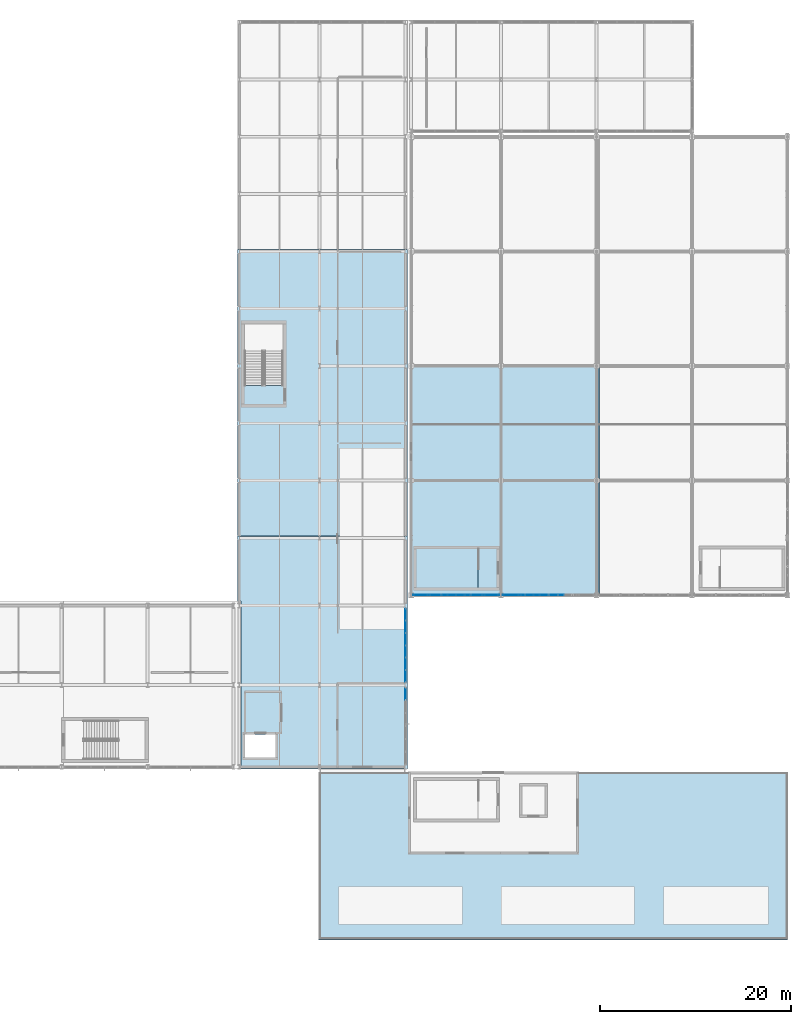
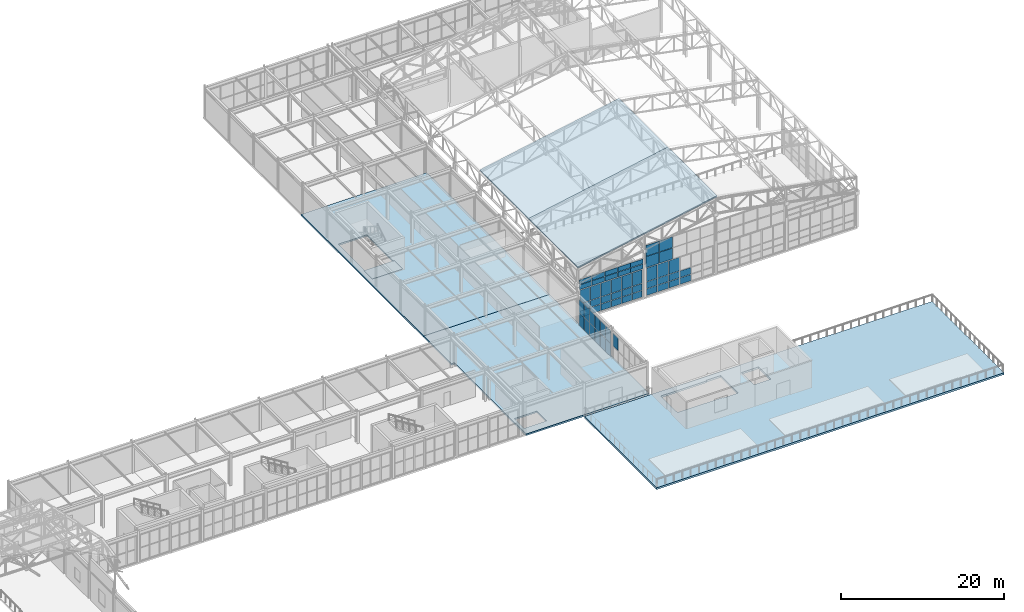
# One storey, part 90 of 112: 56 plates, 7 slabs, 7 elements without a shape of their own.
"""IFC4 building model written with IfcOpenShell, lengths in metres."""

import ifcopenshell
import ifcopenshell.guid

model = None  # the IFC model being written
_history = None  # IfcOwnerHistory: only IFC2X3 demands one
_inside = {}  # id of a spatial element -> (the spatial element, [elements in it])
_under = {}  # id of a project, library or spatial element -> (it, [spatial elements below it])
_declared = {}  # id of a project -> (the project, [libraries it declares])
_typed = {}  # id of a type object -> (the type object, [elements of that type])
_made_of = {}  # id of a material, layer set ... -> (it, [elements and type objects made of it])


def new_model(schema):
    """Start an empty IFC model of exactly this schema.

    Asked for "IFC4X3", IfcOpenShell would pick the latest addendum, in which some entities
    have other attributes; the version numbers below select the first issue.
    IFC2X3 requires an IfcOwnerHistory on every rooted entity: one is made here for all.
    """
    global model, _history
    if schema == "IFC4X3":
        model = ifcopenshell.file(schema_version=(4, 3, 0, 0))
    else:
        model = ifcopenshell.file(schema=schema)
    _inside.clear()
    _under.clear()
    _declared.clear()
    _typed.clear()
    _made_of.clear()
    _history = None
    if model.schema == "IFC2X3":
        org = make("IfcOrganization", Name="unknown")
        user = make(
            "IfcPersonAndOrganization",
            ThePerson=make("IfcPerson", FamilyName="unknown"),
            TheOrganization=org,
        )
        app = make(
            "IfcApplication",
            ApplicationDeveloper=org,
            Version="unknown",
            ApplicationFullName="unknown",
            ApplicationIdentifier="unknown",
        )
        _history = make(
            "IfcOwnerHistory",
            OwningUser=user,
            OwningApplication=app,
            ChangeAction="ADDED",
            CreationDate=0,
        )
    return model


def make(cls, **values):
    """One entity of the class cls with the attributes given. An attribute that is None is left unset."""
    return model.create_entity(
        cls, **{name: value for name, value in values.items() if value is not None}
    )


def rooted(cls, **values):
    """An entity with a GlobalId (a new one), such as an element, a storey or a relation."""
    return make(cls, GlobalId=ifcopenshell.guid.new(), OwnerHistory=_history, **values)


def si_unit(unit_type, name, prefix=None):
    """IfcSIUnit, for example si_unit("LENGTHUNIT", "METRE", prefix="MILLI")."""
    return make("IfcSIUnit", UnitType=unit_type, Prefix=prefix, Name=name)


def assignment(units):
    """IfcUnitAssignment: the units of a project."""
    return None if units is None else make("IfcUnitAssignment", Units=units)


def point(xyz):
    """IfcCartesianPoint."""
    return None if xyz is None else make("IfcCartesianPoint", Coordinates=xyz)


def direction(xyz):
    """IfcDirection."""
    return None if xyz is None else make("IfcDirection", DirectionRatios=xyz)


def frame(location, z_axis=None, x_axis=None):
    """IfcAxis2Placement3D, a coordinate frame: its origin and axes. An axis left out is left unset."""
    return make(
        "IfcAxis2Placement3D",
        Location=point(location),
        Axis=direction(z_axis),
        RefDirection=direction(x_axis),
    )


def frame_2d(location, x_axis=None):
    """IfcAxis2Placement2D, a coordinate frame in the plane: its origin and x axis."""
    return make(
        "IfcAxis2Placement2D", Location=point(location), RefDirection=direction(x_axis)
    )


def origin():
    """The frame at (0, 0, 0) with its axes left unset."""
    return frame((0.0, 0.0, 0.0))


def origin_2d():
    """The frame at (0, 0) in the plane with its x axis left unset."""
    return frame_2d((0.0, 0.0))


def place(relative_to, where):
    """IfcLocalPlacement: puts the frame where relative to a parent placement (None: the world)."""
    return make(
        "IfcLocalPlacement", PlacementRelTo=relative_to, RelativePlacement=where
    )


def context(
    kind, dimensions, precision=None, world=None, true_north=None, identifier=None
):
    """IfcGeometricRepresentationContext, for example the 3D "Model" context."""
    return make(
        "IfcGeometricRepresentationContext",
        ContextIdentifier=identifier,
        ContextType=kind,
        CoordinateSpaceDimension=dimensions,
        Precision=precision,
        WorldCoordinateSystem=world,
        TrueNorth=true_north,
    )


def subcontext(parent, identifier, kind, view, scale=None):
    """IfcGeometricRepresentationSubContext, for example "Body" below "Model"."""
    return make(
        "IfcGeometricRepresentationSubContext",
        ContextIdentifier=identifier,
        ContextType=kind,
        ParentContext=parent,
        TargetScale=scale,
        TargetView=view,
    )


def project(units=None, contexts=None):
    """IfcProject with its units and contexts."""
    return rooted(
        "IfcProject",
        Name="project",
        RepresentationContexts=contexts,
        UnitsInContext=assignment(units),
    )


def spatial(cls, under=None, at=None, **own):
    """A site, building, storey or space (cls), placed at a placement, below another one or the project."""
    s = rooted(cls, ObjectPlacement=at, **own)
    if under is not None:
        _under.setdefault(under.id(), (under, []))[1].append(s)
    return s


def polyline(points):
    """IfcPolyline through the points."""
    return make("IfcPolyline", Points=[point(p) for p in points])


def profile(cls, at=None, kind="AREA", **sizes):
    """A parametric profile (cls). Its sizes go by their IFC names, for example OverallWidth=200.0."""
    return make(cls, ProfileType=kind, Position=at, **sizes)


def rectangle(**sizes):
    """IfcRectangleProfileDef."""
    return profile("IfcRectangleProfileDef", **sizes)


def outline(outer, holes=None, kind="AREA"):
    """IfcArbitraryClosedProfileDef: a profile drawn as a closed curve; with holes, ...WithVoids."""
    if holes is None:
        return make("IfcArbitraryClosedProfileDef", ProfileType=kind, OuterCurve=outer)
    return make(
        "IfcArbitraryProfileDefWithVoids",
        ProfileType=kind,
        OuterCurve=outer,
        InnerCurves=holes,
    )


def extrude(swept, where, along, depth):
    """IfcExtrudedAreaSolid: the profile swept, set in the frame where, extruded along a direction by depth."""
    return make(
        "IfcExtrudedAreaSolid",
        SweptArea=swept,
        Position=where,
        ExtrudedDirection=direction(along),
        Depth=depth,
    )


def shape(context_of_items, identifier, shape_type, items):
    """IfcShapeRepresentation: the items that make up one representation, for example the "Body"."""
    return make(
        "IfcShapeRepresentation",
        ContextOfItems=context_of_items,
        RepresentationIdentifier=identifier,
        RepresentationType=shape_type,
        Items=items,
    )


def material(Name=None, Category=None):
    """IfcMaterial."""
    return make("IfcMaterial", Name=Name, Category=Category)


def layer(
    of_material, thickness, ventilated=None, Name=None, Category=None, Priority=None
):
    """IfcMaterialLayer: one layer of a wall or slab, of a material (None: an air gap)."""
    return make(
        "IfcMaterialLayer",
        Material=of_material,
        LayerThickness=thickness,
        IsVentilated=ventilated,
        Name=Name,
        Category=Category,
        Priority=Priority,
    )


def layer_set(layers, Name=None):
    """IfcMaterialLayerSet."""
    return make("IfcMaterialLayerSet", MaterialLayers=layers, LayerSetName=Name)


def made_of(thing, what):
    """Note that an element or type object is made of a material, layer set ...; save() writes the relation."""
    if what is not None:
        _made_of.setdefault(what.id(), (what, []))[1].append(thing)
    return thing


def type_object(cls, material=None, **own):
    """A type object (cls), such as IfcWallType, which elements share."""
    return made_of(rooted(cls, **own), material)


def element(
    cls,
    number,
    at=None,
    inside=None,
    cuts=None,
    type_object=None,
    material=None,
    context=None,
    identifier="Body",
    shape_type=None,
    held_by="IfcProductDefinitionShape",
    body=None,
    shapes=None,
    **own,
):
    """One element of the class cls, such as IfcWall. Its Tag is "e" and its number.

    at: its placement. inside: the storey or other place that contains it. cuts: it is an
    opening in that element (IfcRelVoidsElement). A single representation is given by context,
    identifier, shape_type and body (its items); several are given by shapes. held_by: the class
    of the entity that holds the representations. save() writes the other relations.
    """
    e = rooted(cls, Tag="e%d" % number, ObjectPlacement=at, **own)
    if body is not None:
        shapes = [shape(context, identifier, shape_type, body)]
    if shapes is not None:
        e.Representation = make(held_by, Representations=shapes)
    if inside is not None:
        _inside.setdefault(inside.id(), (inside, []))[1].append(e)
    if cuts is not None:
        rooted(
            "IfcRelVoidsElement", RelatingBuildingElement=cuts, RelatedOpeningElement=e
        )
    if type_object is not None:
        _typed.setdefault(type_object.id(), (type_object, []))[1].append(e)
    return made_of(e, material)


def aggregate(whole, parts):
    """IfcRelAggregates: a whole, such as a stair, and the parts it consists of."""
    return rooted("IfcRelAggregates", RelatingObject=whole, RelatedObjects=parts)


def save(model, path):
    """Write the relations noted so far, then the file.

    IfcRelAggregates (storeys below a building ...), IfcRelContainedInSpatialStructure (elements
    in a storey), IfcRelDefinesByType, IfcRelAssociatesMaterial and IfcRelDeclares: one each for
    every whole, place, type object, material and project.
    """
    for whole, parts in _under.values():
        aggregate(whole, parts)
    for where, things in _inside.values():
        rooted(
            "IfcRelContainedInSpatialStructure",
            RelatedElements=things,
            RelatingStructure=where,
        )
    for kind, things in _typed.values():
        rooted("IfcRelDefinesByType", RelatedObjects=things, RelatingType=kind)
    for what, things in _made_of.values():
        rooted("IfcRelAssociatesMaterial", RelatedObjects=things, RelatingMaterial=what)
    for by, libraries in _declared.values():
        rooted("IfcRelDeclares", RelatingContext=by, RelatedDefinitions=libraries)
    model.write(path)


model = new_model("IFC4")

# Units and contexts
model_context = context("Model", 3, precision=1e-05, world=origin(), true_north=direction((0.0, 1.0)))
body_context = subcontext(model_context, "Body", "Model", "MODEL_VIEW")
ifc_project = project(units=[si_unit("LENGTHUNIT", "METRE"), si_unit("AREAUNIT", "SQUARE_METRE"), si_unit("VOLUMEUNIT", "CUBIC_METRE"), si_unit("PLANEANGLEUNIT", "RADIAN"), si_unit("MASSUNIT", "GRAM", prefix="KILO")], contexts=[model_context])

# Site, building, storey
site_placement = place(None, origin())
site = spatial("IfcSite", under=ifc_project, at=site_placement, CompositionType="ELEMENT")
building_placement = place(site_placement, origin())
building = spatial("IfcBuilding", under=site, at=building_placement, Name="Kaldris Quays Convention Centre", CompositionType="ELEMENT")
storey_placement = place(building_placement, frame((0.0, 0.0, 16.800048828125)))
storey = spatial("IfcBuildingStorey", under=building, at=storey_placement, Name="L03", CompositionType="ELEMENT", Elevation=16.800048828125)

# Curtain wall, plate
ifc_material_1 = material(Name="Anodized aluminium AW-6060 and triple glazing", Category="aluminium")
curtain_wall_type_1 = type_object("IfcCurtainWallType", Name="UNITISED CURTAIN WALL CW04", PredefinedType="NOTDEFINED", material=ifc_material_1)
curtain_wall_1_placement = place(storey_placement, origin())
curtain_wall_1 = element("IfcCurtainWall", 1, at=curtain_wall_1_placement, inside=storey, type_object=curtain_wall_type_1, Name="L03 Unitised Curtain Wall CW04 146", PredefinedType="NOTDEFINED")
ifc_material_2 = material(Name="Triple low-E insulated glazing", Category="glass")
plate_type_1 = type_object("IfcPlateType", Name="CURTAIN GLAZING PANEL CWP2", PredefinedType="CURTAIN_PANEL", material=ifc_material_2)
plate_1_placement = place(storey_placement, frame((164.0, 45.659912109375, 2.011962890625), z_axis=(0.0, 0.0, 1.0), x_axis=(0.0, 1.0, 0.0)))
plate_1 = element("IfcPlate", 2, at=plate_1_placement, type_object=plate_type_1, Name="CW04 panel 6.2", PredefinedType="CURTAIN_PANEL", context=body_context, shape_type="SweptSolid", body=[
    extrude(rectangle(XDim=1.260009765625, YDim=0.033935546875, at=origin_2d()), origin(), (0.0, 0.0, 1.0), 1.89306640625),
])
aggregate(curtain_wall_1, [plate_1])

# Curtain wall, plates
curtain_wall_2_placement = place(storey_placement, origin())
curtain_wall_2 = element("IfcCurtainWall", 3, at=curtain_wall_2_placement, inside=storey, type_object=curtain_wall_type_1, Name="L03 Unitised Curtain Wall CW04 147", PredefinedType="NOTDEFINED")
plate_type_2 = type_object("IfcPlateType", Name="CURTAIN GLAZING PANEL CWP3", PredefinedType="CURTAIN_PANEL", material=ifc_material_2)
plate_2_placement = place(storey_placement, frame((164.0, 47.514892578125, 0.059814453125), z_axis=(0.0, 0.0, 1.0), x_axis=(0.0, 1.0, 0.0)))
plate_2 = element("IfcPlate", 4, at=plate_2_placement, type_object=plate_type_2, Name="CW04 panel 1.1", PredefinedType="CURTAIN_PANEL", context=body_context, shape_type="SweptSolid", body=[
    extrude(rectangle(XDim=1.2099609375, YDim=0.0390625, at=origin_2d()), origin(), (0.0, 0.0, 1.0), 1.89208984375),
])
plate_3_placement = place(storey_placement, frame((164.0, 47.514892578125, 2.011962890625), z_axis=(0.0, 0.0, 1.0), x_axis=(0.0, 1.0, 0.0)))
plate_3 = element("IfcPlate", 5, at=plate_3_placement, type_object=plate_type_2, Name="CW04 panel 1.2", PredefinedType="CURTAIN_PANEL", context=body_context, shape_type="SweptSolid", body=[
    extrude(rectangle(XDim=1.2099609375, YDim=0.0390625, at=origin_2d()), origin(), (0.0, 0.0, 1.0), 1.89306640625),
])
plate_4_placement = place(storey_placement, frame((164.0, 48.800048828125, 0.059814453125), z_axis=(0.0, 0.0, 1.0), x_axis=(0.0, 1.0, 0.0)))
plate_4 = element("IfcPlate", 6, at=plate_4_placement, type_object=plate_type_2, Name="CW04 panel 2.1", PredefinedType="CURTAIN_PANEL", context=body_context, shape_type="SweptSolid", body=[
    extrude(rectangle(XDim=1.239990234375, YDim=0.0390625, at=origin_2d()), origin(), (0.0, 0.0, 1.0), 1.89208984375),
])
plate_5_placement = place(storey_placement, frame((164.0, 48.800048828125, 2.011962890625), z_axis=(0.0, 0.0, 1.0), x_axis=(0.0, 1.0, 0.0)))
plate_5 = element("IfcPlate", 7, at=plate_5_placement, type_object=plate_type_2, Name="CW04 panel 2.2", PredefinedType="CURTAIN_PANEL", context=body_context, shape_type="SweptSolid", body=[
    extrude(rectangle(XDim=1.239990234375, YDim=0.0390625, at=origin_2d()), origin(), (0.0, 0.0, 1.0), 1.89306640625),
])
plate_6_placement = place(storey_placement, frame((164.0, 50.10009765625, 0.059814453125), z_axis=(0.0, 0.0, 1.0), x_axis=(0.0, 1.0, 0.0)))
plate_6 = element("IfcPlate", 8, at=plate_6_placement, type_object=plate_type_2, Name="CW04 panel 3.1", PredefinedType="CURTAIN_PANEL", context=body_context, shape_type="SweptSolid", body=[
    extrude(rectangle(XDim=1.239990234375, YDim=0.0390625, at=origin_2d()), origin(), (0.0, 0.0, 1.0), 1.89208984375),
])
plate_7_placement = place(storey_placement, frame((164.0, 50.10009765625, 2.011962890625), z_axis=(0.0, 0.0, 1.0), x_axis=(0.0, 1.0, 0.0)))
plate_7 = element("IfcPlate", 9, at=plate_7_placement, type_object=plate_type_2, Name="CW04 panel 3.2", PredefinedType="CURTAIN_PANEL", context=body_context, shape_type="SweptSolid", body=[
    extrude(rectangle(XDim=1.239990234375, YDim=0.0390625, at=origin_2d()), origin(), (0.0, 0.0, 1.0), 1.89306640625),
])
plate_8_placement = place(storey_placement, frame((164.0, 51.39990234375, 0.059814453125), z_axis=(0.0, 0.0, 1.0), x_axis=(0.0, 1.0, 0.0)))
plate_8 = element("IfcPlate", 10, at=plate_8_placement, type_object=plate_type_2, Name="CW04 panel 4.1", PredefinedType="CURTAIN_PANEL", context=body_context, shape_type="SweptSolid", body=[
    extrude(rectangle(XDim=1.239990234375, YDim=0.0390625, at=origin_2d()), origin(), (0.0, 0.0, 1.0), 1.89208984375),
])
plate_9_placement = place(storey_placement, frame((164.0, 51.39990234375, 2.011962890625), z_axis=(0.0, 0.0, 1.0), x_axis=(0.0, 1.0, 0.0)))
plate_9 = element("IfcPlate", 11, at=plate_9_placement, type_object=plate_type_2, Name="CW04 panel 4.2", PredefinedType="CURTAIN_PANEL", context=body_context, shape_type="SweptSolid", body=[
    extrude(rectangle(XDim=1.239990234375, YDim=0.0390625, at=origin_2d()), origin(), (0.0, 0.0, 1.0), 1.89306640625),
])
plate_10_placement = place(storey_placement, frame((164.0, 52.699951171875, 0.059814453125), z_axis=(0.0, 0.0, 1.0), x_axis=(0.0, 1.0, 0.0)))
plate_10 = element("IfcPlate", 12, at=plate_10_placement, type_object=plate_type_2, Name="CW04 panel 5.1", PredefinedType="CURTAIN_PANEL", context=body_context, shape_type="SweptSolid", body=[
    extrude(rectangle(XDim=1.239990234375, YDim=0.0390625, at=origin_2d()), origin(), (0.0, 0.0, 1.0), 1.89208984375),
])
plate_11_placement = place(storey_placement, frame((164.0, 52.699951171875, 2.011962890625), z_axis=(0.0, 0.0, 1.0), x_axis=(0.0, 1.0, 0.0)))
plate_11 = element("IfcPlate", 13, at=plate_11_placement, type_object=plate_type_2, Name="CW04 panel 5.2", PredefinedType="CURTAIN_PANEL", context=body_context, shape_type="SweptSolid", body=[
    extrude(rectangle(XDim=1.239990234375, YDim=0.0390625, at=origin_2d()), origin(), (0.0, 0.0, 1.0), 1.89306640625),
])
plate_12_placement = place(storey_placement, frame((164.0, 53.985107421875, 0.059814453125), z_axis=(0.0, 0.0, 1.0), x_axis=(0.0, 1.0, 0.0)))
plate_12 = element("IfcPlate", 14, at=plate_12_placement, type_object=plate_type_2, Name="CW04 panel 6.1", PredefinedType="CURTAIN_PANEL", context=body_context, shape_type="SweptSolid", body=[
    extrude(rectangle(XDim=1.2099609375, YDim=0.0390625, at=origin_2d()), origin(), (0.0, 0.0, 1.0), 1.89208984375),
])
plate_13_placement = place(storey_placement, frame((164.0, 53.985107421875, 2.011962890625), z_axis=(0.0, 0.0, 1.0), x_axis=(0.0, 1.0, 0.0)))
plate_13 = element("IfcPlate", 15, at=plate_13_placement, type_object=plate_type_2, Name="CW04 panel 6.2", PredefinedType="CURTAIN_PANEL", context=body_context, shape_type="SweptSolid", body=[
    extrude(rectangle(XDim=1.2099609375, YDim=0.0390625, at=origin_2d()), origin(), (0.0, 0.0, 1.0), 1.89306640625),
])
aggregate(curtain_wall_2, [plate_2, plate_3, plate_4, plate_5, plate_6, plate_7, plate_8, plate_9, plate_10, plate_11, plate_12, plate_13])

curtain_wall_type_2 = type_object("IfcCurtainWallType", Name="UNITISED CURTAIN WALL CW01", PredefinedType="NOTDEFINED", material=ifc_material_1)
curtain_wall_3_placement = place(storey_placement, origin())
curtain_wall_3 = element("IfcCurtainWall", 16, at=curtain_wall_3_placement, inside=storey, type_object=curtain_wall_type_2, Name="L03 Unitised Curtain Wall CW01 36", PredefinedType="NOTDEFINED")
plate_type_3 = type_object("IfcPlateType", Name="CURTAIN GLAZING PANEL CWP4", PredefinedType="CURTAIN_PANEL", material=ifc_material_2)
plate_14_placement = place(storey_placement, frame((165.606689453125, 56.0, 0.06005859375), z_axis=(0.0, 0.0, 1.0), x_axis=(1.0, 0.0, 0.0)))
plate_14 = element("IfcPlate", 17, at=plate_14_placement, type_object=plate_type_3, Name="CW01 panel 1.1", PredefinedType="CURTAIN_PANEL", context=body_context, shape_type="SweptSolid", body=[
    extrude(rectangle(XDim=1.393310546875, YDim=0.0439453125, at=origin_2d()), origin(), (0.0, 0.0, 1.0), 0.9599609375),
])
plate_15_placement = place(storey_placement, frame((165.606689453125, 56.0, 1.080078125), z_axis=(0.0, 0.0, 1.0), x_axis=(1.0, 0.0, 0.0)))
plate_15 = element("IfcPlate", 18, at=plate_15_placement, type_object=plate_type_3, Name="CW01 panel 1.2", PredefinedType="CURTAIN_PANEL", context=body_context, shape_type="SweptSolid", body=[
    extrude(rectangle(XDim=1.393310546875, YDim=0.0439453125, at=origin_2d()), origin(), (0.0, 0.0, 1.0), 0.989990234375),
])
plate_16_placement = place(storey_placement, frame((165.606689453125, 56.0, 2.1298828125), z_axis=(0.0, 0.0, 1.0), x_axis=(1.0, 0.0, 0.0)))
plate_16 = element("IfcPlate", 19, at=plate_16_placement, type_object=plate_type_3, Name="CW01 panel 1.3", PredefinedType="CURTAIN_PANEL", context=body_context, shape_type="SweptSolid", body=[
    extrude(rectangle(XDim=1.393310546875, YDim=0.0439453125, at=origin_2d()), origin(), (0.0, 0.0, 1.0), 2.010009765625),
])
plate_17_placement = place(storey_placement, frame((167.074951171875, 56.0, 0.06005859375), z_axis=(0.0, 0.0, 1.0), x_axis=(1.0, 0.0, 0.0)))
plate_17 = element("IfcPlate", 20, at=plate_17_placement, type_object=plate_type_3, Name="CW01 panel 2.1", PredefinedType="CURTAIN_PANEL", context=body_context, shape_type="SweptSolid", body=[
    extrude(rectangle(XDim=1.42333984375, YDim=0.0439453125, at=origin_2d()), origin(), (0.0, 0.0, 1.0), 0.9599609375),
])
plate_18_placement = place(storey_placement, frame((167.074951171875, 56.0, 1.080078125), z_axis=(0.0, 0.0, 1.0), x_axis=(1.0, 0.0, 0.0)))
plate_18 = element("IfcPlate", 21, at=plate_18_placement, type_object=plate_type_3, Name="CW01 panel 2.2", PredefinedType="CURTAIN_PANEL", context=body_context, shape_type="SweptSolid", body=[
    extrude(rectangle(XDim=1.42333984375, YDim=0.0439453125, at=origin_2d()), origin(), (0.0, 0.0, 1.0), 0.989990234375),
])
plate_19_placement = place(storey_placement, frame((167.074951171875, 56.0, 2.1298828125), z_axis=(0.0, 0.0, 1.0), x_axis=(1.0, 0.0, 0.0)))
plate_19 = element("IfcPlate", 22, at=plate_19_placement, type_object=plate_type_3, Name="CW01 panel 2.3", PredefinedType="CURTAIN_PANEL", context=body_context, shape_type="SweptSolid", body=[
    extrude(rectangle(XDim=1.42333984375, YDim=0.0439453125, at=origin_2d()), origin(), (0.0, 0.0, 1.0), 2.010009765625),
])
plate_20_placement = place(storey_placement, frame((168.558349609375, 56.0, 0.06005859375), z_axis=(0.0, 0.0, 1.0), x_axis=(1.0, 0.0, 0.0)))
plate_20 = element("IfcPlate", 23, at=plate_20_placement, type_object=plate_type_3, Name="CW01 panel 3.1", PredefinedType="CURTAIN_PANEL", context=body_context, shape_type="SweptSolid", body=[
    extrude(rectangle(XDim=1.42333984375, YDim=0.0439453125, at=origin_2d()), origin(), (0.0, 0.0, 1.0), 0.9599609375),
])
plate_21_placement = place(storey_placement, frame((168.558349609375, 56.0, 1.080078125), z_axis=(0.0, 0.0, 1.0), x_axis=(1.0, 0.0, 0.0)))
plate_21 = element("IfcPlate", 24, at=plate_21_placement, type_object=plate_type_3, Name="CW01 panel 3.2", PredefinedType="CURTAIN_PANEL", context=body_context, shape_type="SweptSolid", body=[
    extrude(rectangle(XDim=1.42333984375, YDim=0.0439453125, at=origin_2d()), origin(), (0.0, 0.0, 1.0), 0.989990234375),
])
plate_22_placement = place(storey_placement, frame((168.558349609375, 56.0, 2.1298828125), z_axis=(0.0, 0.0, 1.0), x_axis=(1.0, 0.0, 0.0)))
plate_22 = element("IfcPlate", 25, at=plate_22_placement, type_object=plate_type_3, Name="CW01 panel 3.3", PredefinedType="CURTAIN_PANEL", context=body_context, shape_type="SweptSolid", body=[
    extrude(rectangle(XDim=1.42333984375, YDim=0.0439453125, at=origin_2d()), origin(), (0.0, 0.0, 1.0), 2.010009765625),
])
plate_23_placement = place(storey_placement, frame((170.041748046875, 56.0, 0.06005859375), z_axis=(0.0, 0.0, 1.0), x_axis=(1.0, 0.0, 0.0)))
plate_23 = element("IfcPlate", 26, at=plate_23_placement, type_object=plate_type_3, Name="CW01 panel 4.1", PredefinedType="CURTAIN_PANEL", context=body_context, shape_type="SweptSolid", body=[
    extrude(rectangle(XDim=1.42333984375, YDim=0.0439453125, at=origin_2d()), origin(), (0.0, 0.0, 1.0), 0.9599609375),
])
plate_24_placement = place(storey_placement, frame((170.041748046875, 56.0, 1.080078125), z_axis=(0.0, 0.0, 1.0), x_axis=(1.0, 0.0, 0.0)))
plate_24 = element("IfcPlate", 27, at=plate_24_placement, type_object=plate_type_3, Name="CW01 panel 4.2", PredefinedType="CURTAIN_PANEL", context=body_context, shape_type="SweptSolid", body=[
    extrude(rectangle(XDim=1.42333984375, YDim=0.0439453125, at=origin_2d()), origin(), (0.0, 0.0, 1.0), 0.989990234375),
])
plate_25_placement = place(storey_placement, frame((170.041748046875, 56.0, 2.1298828125), z_axis=(0.0, 0.0, 1.0), x_axis=(1.0, 0.0, 0.0)))
plate_25 = element("IfcPlate", 28, at=plate_25_placement, type_object=plate_type_3, Name="CW01 panel 4.3", PredefinedType="CURTAIN_PANEL", context=body_context, shape_type="SweptSolid", body=[
    extrude(rectangle(XDim=1.42333984375, YDim=0.0439453125, at=origin_2d()), origin(), (0.0, 0.0, 1.0), 2.010009765625),
])
plate_26_placement = place(storey_placement, frame((171.52490234375, 56.0, 0.06005859375), z_axis=(0.0, 0.0, 1.0), x_axis=(1.0, 0.0, 0.0)))
plate_26 = element("IfcPlate", 29, at=plate_26_placement, type_object=plate_type_3, Name="CW01 panel 5.1", PredefinedType="CURTAIN_PANEL", context=body_context, shape_type="SweptSolid", body=[
    extrude(rectangle(XDim=1.42333984375, YDim=0.0439453125, at=origin_2d()), origin(), (0.0, 0.0, 1.0), 0.9599609375),
])
plate_27_placement = place(storey_placement, frame((171.52490234375, 56.0, 1.080078125), z_axis=(0.0, 0.0, 1.0), x_axis=(1.0, 0.0, 0.0)))
plate_27 = element("IfcPlate", 30, at=plate_27_placement, type_object=plate_type_3, Name="CW01 panel 5.2", PredefinedType="CURTAIN_PANEL", context=body_context, shape_type="SweptSolid", body=[
    extrude(rectangle(XDim=1.42333984375, YDim=0.0439453125, at=origin_2d()), origin(), (0.0, 0.0, 1.0), 0.989990234375),
])
plate_28_placement = place(storey_placement, frame((171.52490234375, 56.0, 2.1298828125), z_axis=(0.0, 0.0, 1.0), x_axis=(1.0, 0.0, 0.0)))
plate_28 = element("IfcPlate", 31, at=plate_28_placement, type_object=plate_type_3, Name="CW01 panel 5.3", PredefinedType="CURTAIN_PANEL", context=body_context, shape_type="SweptSolid", body=[
    extrude(rectangle(XDim=1.42333984375, YDim=0.0439453125, at=origin_2d()), origin(), (0.0, 0.0, 1.0), 2.010009765625),
])
plate_29_placement = place(storey_placement, frame((172.993408203125, 56.0, 0.06005859375), z_axis=(0.0, 0.0, 1.0), x_axis=(1.0, 0.0, 0.0)))
plate_29 = element("IfcPlate", 32, at=plate_29_placement, type_object=plate_type_3, Name="CW01 panel 6.1", PredefinedType="CURTAIN_PANEL", context=body_context, shape_type="SweptSolid", body=[
    extrude(rectangle(XDim=1.393310546875, YDim=0.0439453125, at=origin_2d()), origin(), (0.0, 0.0, 1.0), 0.9599609375),
])
plate_30_placement = place(storey_placement, frame((172.993408203125, 56.0, 1.080078125), z_axis=(0.0, 0.0, 1.0), x_axis=(1.0, 0.0, 0.0)))
plate_30 = element("IfcPlate", 33, at=plate_30_placement, type_object=plate_type_3, Name="CW01 panel 6.2", PredefinedType="CURTAIN_PANEL", context=body_context, shape_type="SweptSolid", body=[
    extrude(rectangle(XDim=1.393310546875, YDim=0.0439453125, at=origin_2d()), origin(), (0.0, 0.0, 1.0), 0.989990234375),
])
plate_31_placement = place(storey_placement, frame((172.993408203125, 56.0, 2.1298828125), z_axis=(0.0, 0.0, 1.0), x_axis=(1.0, 0.0, 0.0)))
plate_31 = element("IfcPlate", 34, at=plate_31_placement, type_object=plate_type_3, Name="CW01 panel 6.3", PredefinedType="CURTAIN_PANEL", context=body_context, shape_type="SweptSolid", body=[
    extrude(rectangle(XDim=1.393310546875, YDim=0.0439453125, at=origin_2d()), origin(), (0.0, 0.0, 1.0), 2.010009765625),
])
aggregate(curtain_wall_3, [plate_14, plate_15, plate_16, plate_17, plate_18, plate_19, plate_20, plate_21, plate_22, plate_23, plate_24, plate_25, plate_26, plate_27, plate_28, plate_29, plate_30, plate_31])

curtain_wall_4_placement = place(storey_placement, origin())
curtain_wall_4 = element("IfcCurtainWall", 35, at=curtain_wall_4_placement, inside=storey, type_object=curtain_wall_type_2, Name="L03 Unitised Curtain Wall CW01 37", PredefinedType="NOTDEFINED")
plate_type_4 = type_object("IfcPlateType", Name="CURTAIN GLAZING PANEL CWP5", PredefinedType="CURTAIN_PANEL", material=ifc_material_2)
plate_32_placement = place(storey_placement, frame((175.056640625, 56.0, 0.06005859375), z_axis=(0.0, 0.0, 1.0), x_axis=(1.0, 0.0, 0.0)))
plate_32 = element("IfcPlate", 36, at=plate_32_placement, type_object=plate_type_4, Name="CW01 panel 1.1", PredefinedType="CURTAIN_PANEL", context=body_context, shape_type="SweptSolid", body=[
    extrude(rectangle(XDim=1.493408203125, YDim=0.049072265625, at=origin_2d()), origin(), (0.0, 0.0, 1.0), 0.9599609375),
])
plate_33_placement = place(storey_placement, frame((175.056640625, 56.0, 1.080078125), z_axis=(0.0, 0.0, 1.0), x_axis=(1.0, 0.0, 0.0)))
plate_33 = element("IfcPlate", 37, at=plate_33_placement, type_object=plate_type_4, Name="CW01 panel 1.2", PredefinedType="CURTAIN_PANEL", context=body_context, shape_type="SweptSolid", body=[
    extrude(rectangle(XDim=1.493408203125, YDim=0.049072265625, at=origin_2d()), origin(), (0.0, 0.0, 1.0), 0.989990234375),
])
plate_34_placement = place(storey_placement, frame((175.056640625, 56.0, 2.1298828125), z_axis=(0.0, 0.0, 1.0), x_axis=(1.0, 0.0, 0.0)))
plate_34 = element("IfcPlate", 38, at=plate_34_placement, type_object=plate_type_4, Name="CW01 panel 1.3", PredefinedType="CURTAIN_PANEL", context=body_context, shape_type="SweptSolid", body=[
    extrude(rectangle(XDim=1.493408203125, YDim=0.049072265625, at=origin_2d()), origin(), (0.0, 0.0, 1.0), 2.010009765625),
])
plate_35_placement = place(storey_placement, frame((176.625, 56.0, 0.06005859375), z_axis=(0.0, 0.0, 1.0), x_axis=(1.0, 0.0, 0.0)))
plate_35 = element("IfcPlate", 39, at=plate_35_placement, type_object=plate_type_4, Name="CW01 panel 2.1", PredefinedType="CURTAIN_PANEL", context=body_context, shape_type="SweptSolid", body=[
    extrude(rectangle(XDim=1.5234375, YDim=0.049072265625, at=origin_2d()), origin(), (0.0, 0.0, 1.0), 0.9599609375),
])
plate_36_placement = place(storey_placement, frame((176.625, 56.0, 1.080078125), z_axis=(0.0, 0.0, 1.0), x_axis=(1.0, 0.0, 0.0)))
plate_36 = element("IfcPlate", 40, at=plate_36_placement, type_object=plate_type_4, Name="CW01 panel 2.2", PredefinedType="CURTAIN_PANEL", context=body_context, shape_type="SweptSolid", body=[
    extrude(rectangle(XDim=1.5234375, YDim=0.049072265625, at=origin_2d()), origin(), (0.0, 0.0, 1.0), 0.989990234375),
])
plate_37_placement = place(storey_placement, frame((176.625, 56.0, 2.1298828125), z_axis=(0.0, 0.0, 1.0), x_axis=(1.0, 0.0, 0.0)))
plate_37 = element("IfcPlate", 41, at=plate_37_placement, type_object=plate_type_4, Name="CW01 panel 2.3", PredefinedType="CURTAIN_PANEL", context=body_context, shape_type="SweptSolid", body=[
    extrude(rectangle(XDim=1.5234375, YDim=0.049072265625, at=origin_2d()), origin(), (0.0, 0.0, 1.0), 2.010009765625),
])
plate_38_placement = place(storey_placement, frame((178.208251953125, 56.0, 0.06005859375), z_axis=(0.0, 0.0, 1.0), x_axis=(1.0, 0.0, 0.0)))
plate_38 = element("IfcPlate", 42, at=plate_38_placement, type_object=plate_type_4, Name="CW01 panel 3.1", PredefinedType="CURTAIN_PANEL", context=body_context, shape_type="SweptSolid", body=[
    extrude(rectangle(XDim=1.5234375, YDim=0.049072265625, at=origin_2d()), origin(), (0.0, 0.0, 1.0), 0.9599609375),
])
plate_39_placement = place(storey_placement, frame((178.208251953125, 56.0, 1.080078125), z_axis=(0.0, 0.0, 1.0), x_axis=(1.0, 0.0, 0.0)))
plate_39 = element("IfcPlate", 43, at=plate_39_placement, type_object=plate_type_4, Name="CW01 panel 3.2", PredefinedType="CURTAIN_PANEL", context=body_context, shape_type="SweptSolid", body=[
    extrude(rectangle(XDim=1.5234375, YDim=0.049072265625, at=origin_2d()), origin(), (0.0, 0.0, 1.0), 0.989990234375),
])
plate_40_placement = place(storey_placement, frame((178.208251953125, 56.0, 2.1298828125), z_axis=(0.0, 0.0, 1.0), x_axis=(1.0, 0.0, 0.0)))
plate_40 = element("IfcPlate", 44, at=plate_40_placement, type_object=plate_type_4, Name="CW01 panel 3.3", PredefinedType="CURTAIN_PANEL", context=body_context, shape_type="SweptSolid", body=[
    extrude(rectangle(XDim=1.5234375, YDim=0.049072265625, at=origin_2d()), origin(), (0.0, 0.0, 1.0), 2.010009765625),
])
plate_41_placement = place(storey_placement, frame((179.791748046875, 56.0, 0.06005859375), z_axis=(0.0, 0.0, 1.0), x_axis=(1.0, 0.0, 0.0)))
plate_41 = element("IfcPlate", 45, at=plate_41_placement, type_object=plate_type_4, Name="CW01 panel 4.1", PredefinedType="CURTAIN_PANEL", context=body_context, shape_type="SweptSolid", body=[
    extrude(rectangle(XDim=1.5234375, YDim=0.049072265625, at=origin_2d()), origin(), (0.0, 0.0, 1.0), 0.9599609375),
])
plate_42_placement = place(storey_placement, frame((179.791748046875, 56.0, 1.080078125), z_axis=(0.0, 0.0, 1.0), x_axis=(1.0, 0.0, 0.0)))
plate_42 = element("IfcPlate", 46, at=plate_42_placement, type_object=plate_type_4, Name="CW01 panel 4.2", PredefinedType="CURTAIN_PANEL", context=body_context, shape_type="SweptSolid", body=[
    extrude(rectangle(XDim=1.5234375, YDim=0.049072265625, at=origin_2d()), origin(), (0.0, 0.0, 1.0), 0.989990234375),
])
aggregate(curtain_wall_4, [plate_32, plate_33, plate_34, plate_35, plate_36, plate_37, plate_38, plate_39, plate_40, plate_41, plate_42])

curtain_wall_type_3 = type_object("IfcCurtainWallType", Name="UNITISED CURTAIN WALL CW05", PredefinedType="NOTDEFINED", material=ifc_material_1)
curtain_wall_5_placement = place(storey_placement, origin())
curtain_wall_5 = element("IfcCurtainWall", 47, at=curtain_wall_5_placement, inside=storey, type_object=curtain_wall_type_3, Name="L03 Unitised Curtain Wall CW05 255", PredefinedType="NOTDEFINED")
plate_type_5 = type_object("IfcPlateType", Name="CURTAIN GLAZING PANEL CWP7", PredefinedType="CURTAIN_PANEL", material=ifc_material_2)
plate_43_placement = place(storey_placement, frame((165.6669921875, 56.0, 4.2548828125), z_axis=(0.0, 0.0, 1.0), x_axis=(1.0, 0.0, 0.0)))
plate_43 = element("IfcPlate", 48, at=plate_43_placement, type_object=plate_type_5, Name="CW05 panel 1.1", PredefinedType="CURTAIN_PANEL", context=body_context, shape_type="SweptSolid", body=[
    extrude(rectangle(XDim=1.73388671875, YDim=0.05908203125, at=origin_2d()), origin(), (0.0, 0.0, 1.0), 0.69091796875),
])
plate_44_placement = place(storey_placement, frame((165.6669921875, 56.0, 5.006103515625), z_axis=(0.0, 0.0, 1.0), x_axis=(1.0, 0.0, 0.0)))
plate_44 = element("IfcPlate", 49, at=plate_44_placement, type_object=plate_type_5, Name="CW05 panel 1.2", PredefinedType="CURTAIN_PANEL", context=body_context, shape_type="SweptSolid", body=[
    extrude(rectangle(XDim=1.73388671875, YDim=0.05908203125, at=origin_2d()), origin(), (0.0, 0.0, 1.0), 0.69091796875),
])
plate_45_placement = place(storey_placement, frame((167.47607421875, 56.0, 4.2548828125), z_axis=(0.0, 0.0, 1.0), x_axis=(1.0, 0.0, 0.0)))
plate_45 = element("IfcPlate", 50, at=plate_45_placement, type_object=plate_type_5, Name="CW05 panel 2.1", PredefinedType="CURTAIN_PANEL", context=body_context, shape_type="SweptSolid", body=[
    extrude(rectangle(XDim=1.763916015625, YDim=0.05908203125, at=origin_2d()), origin(), (0.0, 0.0, 1.0), 0.69091796875),
])
plate_46_placement = place(storey_placement, frame((167.47607421875, 56.0, 5.006103515625), z_axis=(0.0, 0.0, 1.0), x_axis=(1.0, 0.0, 0.0)))
plate_46 = element("IfcPlate", 51, at=plate_46_placement, type_object=plate_type_5, Name="CW05 panel 2.2", PredefinedType="CURTAIN_PANEL", context=body_context, shape_type="SweptSolid", body=[
    extrude(rectangle(XDim=1.763916015625, YDim=0.05908203125, at=origin_2d()), origin(), (0.0, 0.0, 1.0), 0.69091796875),
])
plate_47_placement = place(storey_placement, frame((169.300048828125, 56.0, 4.2548828125), z_axis=(0.0, 0.0, 1.0), x_axis=(1.0, 0.0, 0.0)))
plate_47 = element("IfcPlate", 52, at=plate_47_placement, type_object=plate_type_5, Name="CW05 panel 3.1", PredefinedType="CURTAIN_PANEL", context=body_context, shape_type="SweptSolid", body=[
    extrude(rectangle(XDim=1.763916015625, YDim=0.05908203125, at=origin_2d()), origin(), (0.0, 0.0, 1.0), 0.69091796875),
])
plate_48_placement = place(storey_placement, frame((169.300048828125, 56.0, 5.006103515625), z_axis=(0.0, 0.0, 1.0), x_axis=(1.0, 0.0, 0.0)))
plate_48 = element("IfcPlate", 53, at=plate_48_placement, type_object=plate_type_5, Name="CW05 panel 3.2", PredefinedType="CURTAIN_PANEL", context=body_context, shape_type="SweptSolid", body=[
    extrude(rectangle(XDim=1.763916015625, YDim=0.05908203125, at=origin_2d()), origin(), (0.0, 0.0, 1.0), 0.69091796875),
])
plate_49_placement = place(storey_placement, frame((171.1240234375, 56.0, 4.2548828125), z_axis=(0.0, 0.0, 1.0), x_axis=(1.0, 0.0, 0.0)))
plate_49 = element("IfcPlate", 54, at=plate_49_placement, type_object=plate_type_5, Name="CW05 panel 4.1", PredefinedType="CURTAIN_PANEL", context=body_context, shape_type="SweptSolid", body=[
    extrude(rectangle(XDim=1.763916015625, YDim=0.05908203125, at=origin_2d()), origin(), (0.0, 0.0, 1.0), 0.69091796875),
])
plate_50_placement = place(storey_placement, frame((171.1240234375, 56.0, 5.006103515625), z_axis=(0.0, 0.0, 1.0), x_axis=(1.0, 0.0, 0.0)))
plate_50 = element("IfcPlate", 55, at=plate_50_placement, type_object=plate_type_5, Name="CW05 panel 4.2", PredefinedType="CURTAIN_PANEL", context=body_context, shape_type="SweptSolid", body=[
    extrude(rectangle(XDim=1.763916015625, YDim=0.05908203125, at=origin_2d()), origin(), (0.0, 0.0, 1.0), 0.69091796875),
])
plate_51_placement = place(storey_placement, frame((172.93310546875, 56.0, 4.2548828125), z_axis=(0.0, 0.0, 1.0), x_axis=(1.0, 0.0, 0.0)))
plate_51 = element("IfcPlate", 56, at=plate_51_placement, type_object=plate_type_5, Name="CW05 panel 5.1", PredefinedType="CURTAIN_PANEL", context=body_context, shape_type="SweptSolid", body=[
    extrude(rectangle(XDim=1.73388671875, YDim=0.05908203125, at=origin_2d()), origin(), (0.0, 0.0, 1.0), 0.69091796875),
])
plate_52_placement = place(storey_placement, frame((172.93310546875, 56.0, 5.006103515625), z_axis=(0.0, 0.0, 1.0), x_axis=(1.0, 0.0, 0.0)))
plate_52 = element("IfcPlate", 57, at=plate_52_placement, type_object=plate_type_5, Name="CW05 panel 5.2", PredefinedType="CURTAIN_PANEL", context=body_context, shape_type="SweptSolid", body=[
    extrude(rectangle(XDim=1.73388671875, YDim=0.05908203125, at=origin_2d()), origin(), (0.0, 0.0, 1.0), 0.69091796875),
])
aggregate(curtain_wall_5, [plate_43, plate_44, plate_45, plate_46, plate_47, plate_48, plate_49, plate_50, plate_51, plate_52])

curtain_wall_6_placement = place(storey_placement, origin())
curtain_wall_6 = element("IfcCurtainWall", 58, at=curtain_wall_6_placement, inside=storey, type_object=curtain_wall_type_3, Name="L03 Unitised Curtain Wall CW05 256", PredefinedType="NOTDEFINED")
plate_type_6 = type_object("IfcPlateType", Name="CURTAIN GLAZING PANEL CWP8", PredefinedType="CURTAIN_PANEL", material=ifc_material_2)
plate_53_placement = place(storey_placement, frame((175.126953125, 56.0, 4.2548828125), z_axis=(0.0, 0.0, 1.0), x_axis=(1.0, 0.0, 0.0)))
plate_53 = element("IfcPlate", 59, at=plate_53_placement, type_object=plate_type_6, Name="CW05 panel 1.1", PredefinedType="CURTAIN_PANEL", context=body_context, shape_type="SweptSolid", body=[
    extrude(rectangle(XDim=1.85400390625, YDim=0.06396484375, at=origin_2d()), origin(), (0.0, 0.0, 1.0), 1.626953125),
])
plate_54_placement = place(storey_placement, frame((175.126953125, 56.0, 5.94189453125), z_axis=(0.0, 0.0, 1.0), x_axis=(1.0, 0.0, 0.0)))
plate_54 = element("IfcPlate", 60, at=plate_54_placement, type_object=plate_type_6, Name="CW05 panel 1.2", PredefinedType="CURTAIN_PANEL", context=body_context, shape_type="SweptSolid", body=[
    extrude(rectangle(XDim=1.85400390625, YDim=0.06396484375, at=origin_2d()), origin(), (0.0, 0.0, 1.0), 1.6259765625),
])
plate_55_placement = place(storey_placement, frame((177.055908203125, 56.0, 4.2548828125), z_axis=(0.0, 0.0, 1.0), x_axis=(1.0, 0.0, 0.0)))
plate_55 = element("IfcPlate", 61, at=plate_55_placement, type_object=plate_type_6, Name="CW05 panel 2.1", PredefinedType="CURTAIN_PANEL", context=body_context, shape_type="SweptSolid", body=[
    extrude(rectangle(XDim=1.884033203125, YDim=0.06396484375, at=origin_2d()), origin(), (0.0, 0.0, 1.0), 1.626953125),
])
plate_56_placement = place(storey_placement, frame((177.055908203125, 56.0, 5.94189453125), z_axis=(0.0, 0.0, 1.0), x_axis=(1.0, 0.0, 0.0)))
plate_56 = element("IfcPlate", 62, at=plate_56_placement, type_object=plate_type_6, Name="CW05 panel 2.2", PredefinedType="CURTAIN_PANEL", context=body_context, shape_type="SweptSolid", body=[
    extrude(rectangle(XDim=1.884033203125, YDim=0.06396484375, at=origin_2d()), origin(), (0.0, 0.0, 1.0), 1.6259765625),
])
aggregate(curtain_wall_6, [plate_53, plate_54, plate_55, plate_56])

# Slabs
ifc_material_3 = material(Name="Concrete C35/45", Category="concrete")
ifc_layer_1 = layer(ifc_material_3, 0.27490234375)
ifc_layer_set_1 = layer_set([ifc_layer_1], Name="Concrete C35/45")
slab_type_1 = type_object("IfcSlabType", Name="STRUCTURAL SLAB FS05", PredefinedType="FLOOR", material=ifc_layer_set_1)
slab_1_placement = place(storey_placement, frame((0.0, 0.0, -0.275146484375)))
element("IfcSlab", 63, at=slab_1_placement, inside=storey, type_object=slab_type_1, Name="L03 ST08 Core Floor Landing Slab", PredefinedType="FLOOR", context=body_context, shape_type="SweptSolid", body=[
    extrude(outline(polyline([(173.669921875, 60.969970703125), (171.60009765625, 60.969970703125), (171.60009765625, 56.679931640625), (173.669921875, 56.679931640625), (173.669921875, 60.969970703125)])), origin(), (0.0, 0.0, 1.0), 0.275146484375),
])
slab_2_placement = place(storey_placement, frame((0.0, 0.0, -0.275146484375)))
element("IfcSlab", 64, at=slab_2_placement, inside=storey, type_object=slab_type_1, Name="L03 ST14 Core Floor Landing Slab", PredefinedType="FLOOR", context=body_context, shape_type="SweptSolid", body=[
    extrude(outline(polyline([(151.320068359375, 75.8798828125), (151.320068359375, 77.949951171875), (147.030029296875, 77.949951171875), (147.030029296875, 75.8798828125), (151.320068359375, 75.8798828125)])), origin(), (0.0, 0.0, 1.0), 0.275146484375),
])
ifc_layer_2 = layer(ifc_material_3, 0.235107421875)
ifc_layer_set_2 = layer_set([ifc_layer_2], Name="Concrete C35/45")
slab_type_2 = type_object("IfcSlabType", Name="STRUCTURAL SLAB FS07", PredefinedType="FLOOR", material=ifc_layer_set_2)
slab_3_placement = place(storey_placement, frame((0.0, 0.0, -0.235107421875)))
element("IfcSlab", 65, at=slab_3_placement, inside=storey, type_object=slab_type_2, Name="L03 V4 L03 East 1 SLAB-L03-V4E-1", PredefinedType="FLOOR", context=body_context, shape_type="SweptSolid", body=[
    extrude(outline(polyline([(146.39990234375, 62.199951171875), (164.199951171875, 62.199951171875), (164.199951171875, 37.800048828125), (146.802001953125, 37.800048828125), (146.802001953125, 55.375), (146.39990234375, 55.376953125), (146.39990234375, 62.199951171875)]), holes=[polyline([(150.39990234375, 41.39990234375), (147.199951171875, 41.39990234375), (147.199951171875, 39.0), (150.39990234375, 39.0), (150.39990234375, 41.39990234375)])]), origin(), (0.0, 0.0, 1.0), 0.235107421875),
])
slab_4_placement = place(storey_placement, frame((0.0, 0.0, -0.235107421875)))
element("IfcSlab", 66, at=slab_4_placement, inside=storey, type_object=slab_type_2, Name="L03 V4 L03 East 2 SLAB-L03-V4E-2", PredefinedType="FLOOR", context=body_context, shape_type="SweptSolid", body=[
    extrude(outline(polyline([(146.39990234375, 92.199951171875), (164.199951171875, 92.199951171875), (164.199951171875, 62.201904296875), (146.39990234375, 62.201904296875), (146.39990234375, 92.199951171875)]), holes=[polyline([(151.32080078125, 77.951904296875), (151.199951171875, 77.951904296875), (151.199951171875, 84.39990234375), (147.14990234375, 84.39990234375), (147.14990234375, 77.951904296875), (147.028076171875, 77.9501953125), (147.0283203125, 75.87890625), (151.32080078125, 75.878173828125), (151.32080078125, 77.951904296875)])]), origin(), (0.0, 0.0, 1.0), 0.235107421875),
])

# Roof, slabs
ifc_material_4 = material(Name="Steel S355J2", Category="steel")
ifc_layer_3 = layer(ifc_material_4, 0.175048828125)
ifc_layer_set_3 = layer_set([ifc_layer_3], Name="Steel S355J2")
roof_type = type_object("IfcRoofType", Name="SPACE FRAME GABLE ROOF RF01", PredefinedType="GABLE_ROOF", material=ifc_layer_set_3)
roof_placement = place(storey_placement, origin())
roof = element("IfcRoof", 67, at=roof_placement, inside=storey, type_object=roof_type, Name="Space-Frame Roof ROOF-V2-SF", PredefinedType="GABLE_ROOF")
ifc_layer_4 = layer(ifc_material_4, 0.18798828125)
ifc_layer_set_4 = layer_set([ifc_layer_4], Name="Steel S355J2")
slab_type_3 = type_object("IfcSlabType", Name="STRUCTURAL SLAB RS03", PredefinedType="ROOF", material=ifc_layer_set_4)
slab_5_placement = place(storey_placement, frame((164.60009765625, 56.0, 7.680908203125), z_axis=(-0.189403212689, 0.0, 0.981899395571), x_axis=(0.981899395571, 0.0, 0.189403212689)))
slab_5 = element("IfcSlab", 68, at=slab_5_placement, type_object=slab_type_3, Name="SF-V2 Pitched Roof Deck 1.1", PredefinedType="ROOF", context=body_context, shape_type="SweptSolid", body=[
    extrude(outline(polyline([(0.0, 0.0), (20.037495466685122, 0.0), (20.037495466685122, 12.0), (0.0, 12.0), (0.0, 0.0)])), origin(), (0.0, 0.0, -1.0), 0.18798828125),
])
slab_6_placement = place(storey_placement, frame((164.60009765625, 68.0, 7.680908203125), z_axis=(-0.189403212689, 0.0, 0.981899395571), x_axis=(0.981899395571, 0.0, 0.189403212689)))
slab_6 = element("IfcSlab", 69, at=slab_6_placement, type_object=slab_type_3, Name="SF-V2 Pitched Roof Deck 1.2", PredefinedType="ROOF", context=body_context, shape_type="SweptSolid", body=[
    extrude(outline(polyline([(0.0, 0.0), (20.037495466685122, 0.0), (20.037495466685122, 12.0), (0.0, 12.0), (0.0, 0.0)])), origin(), (0.0, 0.0, -1.0), 0.18798828125),
])
aggregate(roof, [slab_5, slab_6])

# Slab
ifc_layer_5 = layer(ifc_material_3, 0.284912109375)
ifc_layer_set_5 = layer_set([ifc_layer_5], Name="Concrete C35/45")
slab_type_4 = type_object("IfcSlabType", Name="STRUCTURAL SLAB XS01", PredefinedType="FLOOR", material=ifc_layer_set_5)
slab_7_placement = place(storey_placement, frame((0.0, 0.0, -0.28515625)))
element("IfcSlab", 70, at=slab_7_placement, inside=storey, type_object=slab_type_4, Name="L03 V5 Planted Roof Garden Terrace Slab SLAB-L03-V5RG", PredefinedType="FLOOR", context=body_context, shape_type="SweptSolid", body=[
    extrude(outline(polyline([(154.89990234375, 19.89990234375), (154.89990234375, 37.5), (204.0, 37.5), (204.0, 19.89990234375), (154.89990234375, 19.89990234375)]), holes=[polyline([(178.60009765625, 36.0), (176.199951171875, 36.0), (176.199951171875, 33.0), (178.60009765625, 33.0), (178.60009765625, 36.0)]), polyline([(171.597900390625, 36.60009765625), (165.14990234375, 36.60009765625), (165.14990234375, 32.550048828125), (171.597900390625, 32.550048828125), (171.599853515625, 32.427978515625), (173.671142578125, 32.42822265625), (173.671875, 36.720947265625), (171.599853515625, 36.721923828125), (171.597900390625, 36.60009765625)])]), origin(), (0.0, 0.0, 1.0), 0.28515625),
])

save(model, "model.ifc")
